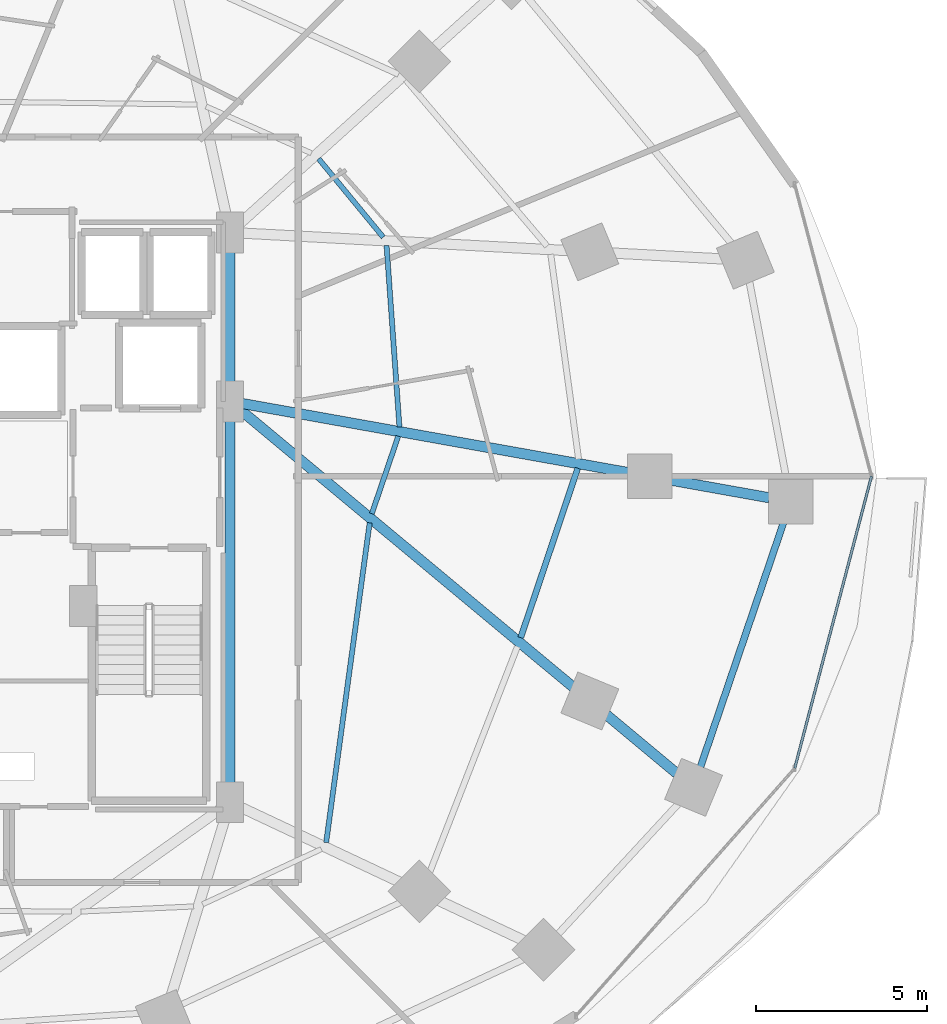
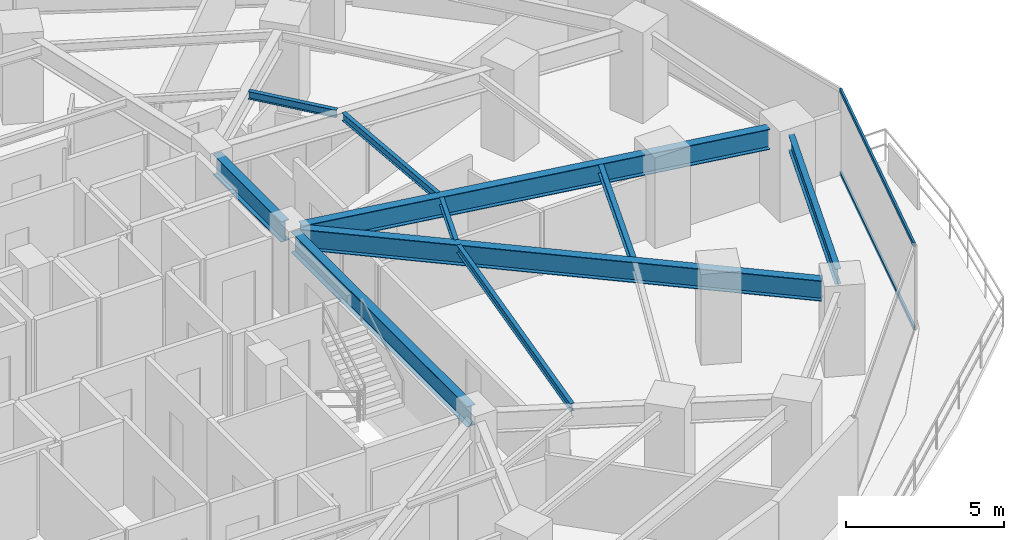
# One storey, part 15 of 36: 10 beams, 2 members, 1 element without a shape of its own.
"""IFC4 building model written with IfcOpenShell, lengths in metres."""

from ifc_helpers import new_model, si_unit, direction, frame, origin, origin_2d, place, context, subcontext, project, spatial, hollow_rectangle, i_section, extrude, material, material_profile, profile_set, type_object, element, aggregate, save


model = new_model("IFC4")

# Units and contexts
model_context = context("Model", 3, precision=1e-05, world=origin(), true_north=direction((0.0, 1.0)))
body_context = subcontext(model_context, "Body", "Model", "MODEL_VIEW")
ifc_project = project(units=[si_unit("LENGTHUNIT", "METRE"), si_unit("AREAUNIT", "SQUARE_METRE"), si_unit("VOLUMEUNIT", "CUBIC_METRE"), si_unit("PLANEANGLEUNIT", "RADIAN"), si_unit("MASSUNIT", "GRAM", prefix="KILO")], contexts=[model_context])

# Site, building, storey
site_placement = place(None, origin())
site = spatial("IfcSite", under=ifc_project, at=site_placement, CompositionType="ELEMENT")
building_placement = place(site_placement, origin())
building = spatial("IfcBuilding", under=site, at=building_placement, Name="Vorneva Point Tower", CompositionType="ELEMENT")
storey_placement = place(building_placement, frame((0.0, 0.0, 24.0)))
storey = spatial("IfcBuildingStorey", under=building, at=storey_placement, Name="L05", CompositionType="ELEMENT", Elevation=24.0)

# Beams
ifc_material_1 = material(Name="Steel S355", Category="steel")
ifc_material_profile_1 = material_profile(ifc_material_1, i_section(OverallWidth=0.300048828125, OverallDepth=0.7880859375, WebThickness=0.014404296875, FlangeThickness=0.02197265625, at=origin_2d()), Name="80Sh1")
ifc_profile_set_1 = profile_set([ifc_material_profile_1], Name="Steel S355")
beam_type_1 = type_object("IfcBeamType", Name="BM-GRD-80Sh1", PredefinedType="USERDEFINED", material=ifc_profile_set_1)
beam_1_placement = place(storey_placement, frame((64.55419921875, 25.373291015625, 2.845947265625), z_axis=(-0.984378664832, 0.176064318428, 0.0), x_axis=(-0.176064318428, -0.984378664832, 0.0)))
element("IfcBeam", 1, at=beam_1_placement, inside=storey, type_object=beam_type_1, Name="L05 Radial Primary Girder 01", ObjectType="GIRDER", PredefinedType="USERDEFINED", context=body_context, shape_type="SweptSolid", body=[
    extrude(i_section(OverallWidth=0.300048828125, OverallDepth=0.7880859375, WebThickness=0.014404296875, FlangeThickness=0.02197265625, at=origin_2d()), origin(), (0.0, 0.0, 1.0), 15.715087890625),
])
beam_2_placement = place(storey_placement, frame((61.844482421875, 17.294921875, 2.845947265625), z_axis=(-0.76842374394, 0.639941364306, 0.0), x_axis=(-0.639941364306, -0.76842374394, 0.0)))
element("IfcBeam", 2, at=beam_2_placement, inside=storey, type_object=beam_type_1, Name="L05 Radial Primary Girder 16", ObjectType="GIRDER", PredefinedType="USERDEFINED", context=body_context, shape_type="SweptSolid", body=[
    extrude(i_section(OverallWidth=0.300048828125, OverallDepth=0.7880859375, WebThickness=0.014404296875, FlangeThickness=0.02197265625, at=origin_2d()), origin(), (0.0, 0.0, 1.0), 16.70068359375),
])
beam_3_placement = place(storey_placement, frame((48.75, 16.77001953125, 2.845947265625), z_axis=(0.0, 1.0, 0.0), x_axis=(-1.0, 0.0, 0.0)))
element("IfcBeam", 3, at=beam_3_placement, inside=storey, type_object=beam_type_1, Name="L05 Core Tie Girder CT3", ObjectType="GIRDER", PredefinedType="USERDEFINED", context=body_context, shape_type="SweptSolid", body=[
    extrude(i_section(OverallWidth=0.300048828125, OverallDepth=0.7880859375, WebThickness=0.014404296875, FlangeThickness=0.02197265625, at=origin_2d()), origin(), (0.0, 0.0, 1.0), 11.10986328125),
])
beam_4_placement = place(storey_placement, frame((48.75, 28.52001953125, 2.845947265625), z_axis=(0.0, 1.0, 0.0), x_axis=(-1.0, 0.0, 0.0)))
element("IfcBeam", 4, at=beam_4_placement, inside=storey, type_object=beam_type_1, Name="L05 Core Tie Girder CT4", ObjectType="GIRDER", PredefinedType="USERDEFINED", context=body_context, shape_type="SweptSolid", body=[
    extrude(i_section(OverallWidth=0.300048828125, OverallDepth=0.7880859375, WebThickness=0.014404296875, FlangeThickness=0.02197265625, at=origin_2d()), origin(), (0.0, 0.0, 1.0), 4.31005859375),
])
ifc_material_profile_2 = material_profile(ifc_material_1, i_section(OverallWidth=0.14892578125, OverallDepth=0.298095703125, WebThickness=0.005615234375, FlangeThickness=0.008056640625, at=origin_2d()), Name="30B1")
ifc_profile_set_2 = profile_set([ifc_material_profile_2], Name="Steel S355")
beam_type_2 = type_object("IfcBeamType", Name="BM-JST-30B1", PredefinedType="JOIST", material=ifc_profile_set_2)
beam_5_placement = place(storey_placement, frame((53.7158203125, 27.44775390625, 3.091064453125), z_axis=(-0.07093138568, 0.997481197079, 0.0), x_axis=(-0.997481197079, -0.07093138568, 0.0)))
element("IfcBeam", 5, at=beam_5_placement, inside=storey, type_object=beam_type_2, Name="L05 Secondary Floor Beam 2.01", PredefinedType="JOIST", context=body_context, shape_type="SweptSolid", body=[
    extrude(i_section(OverallWidth=0.14892578125, OverallDepth=0.298095703125, WebThickness=0.005615234375, FlangeThickness=0.008056640625, at=origin_2d()), origin(), (0.0, 0.0, 1.0), 5.33154296875),
])
beam_6_placement = place(storey_placement, frame((53.239990234375, 33.010009765625, 3.091064453125), z_axis=(-0.635667033384, 0.771963355781, 0.0), x_axis=(-0.771963355781, -0.635667033384, 0.0)))
element("IfcBeam", 6, at=beam_6_placement, inside=storey, type_object=beam_type_2, Name="L05 Secondary Floor Beam 2.02", PredefinedType="JOIST", context=body_context, shape_type="SweptSolid", body=[
    extrude(i_section(OverallWidth=0.14892578125, OverallDepth=0.298095703125, WebThickness=0.005615234375, FlangeThickness=0.008056640625, at=origin_2d()), origin(), (0.0, 0.0, 1.0), 2.978759765625),
])
beam_7_placement = place(storey_placement, frame((51.5673828125, 15.26904296875, 3.091064453125), z_axis=(0.13486550853, 0.990863913264, 0.0), x_axis=(-0.990863913264, 0.13486550853, 0.0)))
element("IfcBeam", 7, at=beam_7_placement, inside=storey, type_object=beam_type_2, Name="L05 Secondary Floor Beam 2.15", PredefinedType="JOIST", context=body_context, shape_type="SweptSolid", body=[
    extrude(i_section(OverallWidth=0.14892578125, OverallDepth=0.298095703125, WebThickness=0.005615234375, FlangeThickness=0.008056640625, at=origin_2d()), origin(), (0.0, 0.0, 1.0), 9.456787109375),
])
beam_8_placement = place(storey_placement, frame((52.90576171875, 24.90673828125, 3.091064453125), z_axis=(0.322808483442, 0.946464306257, 0.0), x_axis=(-0.946464306257, 0.322808483442, 0.0)))
element("IfcBeam", 8, at=beam_8_placement, inside=storey, type_object=beam_type_2, Name="L05 Secondary Floor Beam 2.16", PredefinedType="JOIST", context=body_context, shape_type="SweptSolid", body=[
    extrude(i_section(OverallWidth=0.14892578125, OverallDepth=0.298095703125, WebThickness=0.005615234375, FlangeThickness=0.008056640625, at=origin_2d()), origin(), (0.0, 0.0, 1.0), 2.4013671875),
])
ifc_material_profile_3 = material_profile(ifc_material_1, i_section(OverallWidth=0.174072265625, OverallDepth=0.345947265625, WebThickness=0.006103515625, FlangeThickness=0.009033203125, at=origin_2d()), Name="35B1")
ifc_profile_set_3 = profile_set([ifc_material_profile_3], Name="Steel S355")
beam_type_3 = type_object("IfcBeamType", Name="BM-SEC-35B1", PredefinedType="BEAM", material=ifc_profile_set_3)
beam_9_placement = place(storey_placement, frame((57.268798828125, 21.273193359375, 3.06689453125), z_axis=(0.319189795447, 0.947690811648, 0.0), x_axis=(-0.947690811648, 0.319189795447, 0.0)))
element("IfcBeam", 9, at=beam_9_placement, inside=storey, type_object=beam_type_3, Name="L05 Secondary Floor Beam 1.16", PredefinedType="BEAM", context=body_context, shape_type="SweptSolid", body=[
    extrude(i_section(OverallWidth=0.174072265625, OverallDepth=0.345947265625, WebThickness=0.006103515625, FlangeThickness=0.009033203125, at=origin_2d()), origin(), (0.0, 0.0, 1.0), 5.239501953125),
])
ifc_material_profile_4 = material_profile(ifc_material_1, i_section(OverallWidth=0.198974609375, OverallDepth=0.595947265625, WebThickness=0.010009765625, FlangeThickness=0.014892578125, at=origin_2d()), Name="60B1")
ifc_profile_set_4 = profile_set([ifc_material_profile_4], Name="Steel S355")
beam_type_4 = type_object("IfcBeamType", Name="BM-SPN-60B1", PredefinedType="SPANDREL", material=ifc_profile_set_4)
beam_10_placement = place(storey_placement, frame((62.539306640625, 17.48779296875, 2.94189453125), z_axis=(0.321907355596, 0.946771173206, 0.0), x_axis=(-0.946771173206, 0.321907355596, 0.0)))
element("IfcBeam", 10, at=beam_10_placement, inside=storey, type_object=beam_type_4, Name="L05 Perimeter Spandrel Ring Beam 16", PredefinedType="SPANDREL", context=body_context, shape_type="SweptSolid", body=[
    extrude(i_section(OverallWidth=0.198974609375, OverallDepth=0.595947265625, WebThickness=0.010009765625, FlangeThickness=0.014892578125, at=origin_2d()), origin(), (0.0, 0.0, 1.0), 7.5751953125),
])

# Curtain wall, members
ifc_material_2 = material(Name="Pale anodised aluminium", Category="aluminium")
curtain_wall_type = type_object("IfcCurtainWallType", Name="CW-HTL-SYS", PredefinedType="NOTDEFINED", material=ifc_material_2)
curtain_wall_placement = place(storey_placement, origin())
curtain_wall = element("IfcCurtainWall", 11, at=curtain_wall_placement, inside=storey, type_object=curtain_wall_type, Name="L05 Unitised Curtain Wall CW-L05-R01", PredefinedType="NOTDEFINED")
ifc_material_profile_5 = material_profile(ifc_material_2, hollow_rectangle(XDim=0.074951171875, YDim=0.14990234375, WallThickness=0.00390625, at=origin_2d()), Name="AL-TRN 150x75x4")
ifc_profile_set_5 = profile_set([ifc_material_profile_5], Name="Pale anodised aluminium")
member_type = type_object("IfcMemberType", Name="CW-TRN-150", PredefinedType="USERDEFINED", material=ifc_profile_set_5)
member_1_placement = place(storey_placement, frame((65.300537109375, 17.447021484375, 0.02001953125), z_axis=(0.254358772746, 0.967109928978, 0.0), x_axis=(-0.967109928978, 0.254358772746, 0.0)))
member_1 = element("IfcMember", 12, at=member_1_placement, type_object=member_type, Name="CW-L05-R01 Transom 02.1", ObjectType="TRANSOM", PredefinedType="USERDEFINED", context=body_context, shape_type="SweptSolid", body=[
    extrude(hollow_rectangle(XDim=0.074951171875, YDim=0.14990234375, WallThickness=0.00390625, at=origin_2d()), origin(), (0.0, 0.0, 1.0), 8.84375),
])
member_2_placement = place(storey_placement, frame((65.300537109375, 17.447021484375, 3.219970703125), z_axis=(0.254358772746, 0.967109928978, 0.0), x_axis=(-0.967109928978, 0.254358772746, 0.0)))
member_2 = element("IfcMember", 13, at=member_2_placement, type_object=member_type, Name="CW-L05-R01 Transom 02.2", ObjectType="TRANSOM", PredefinedType="USERDEFINED", context=body_context, shape_type="SweptSolid", body=[
    extrude(hollow_rectangle(XDim=0.074951171875, YDim=0.14990234375, WallThickness=0.00390625, at=origin_2d()), origin(), (0.0, 0.0, 1.0), 8.84375),
])
aggregate(curtain_wall, [member_1, member_2])

save(model, "model.ifc")
